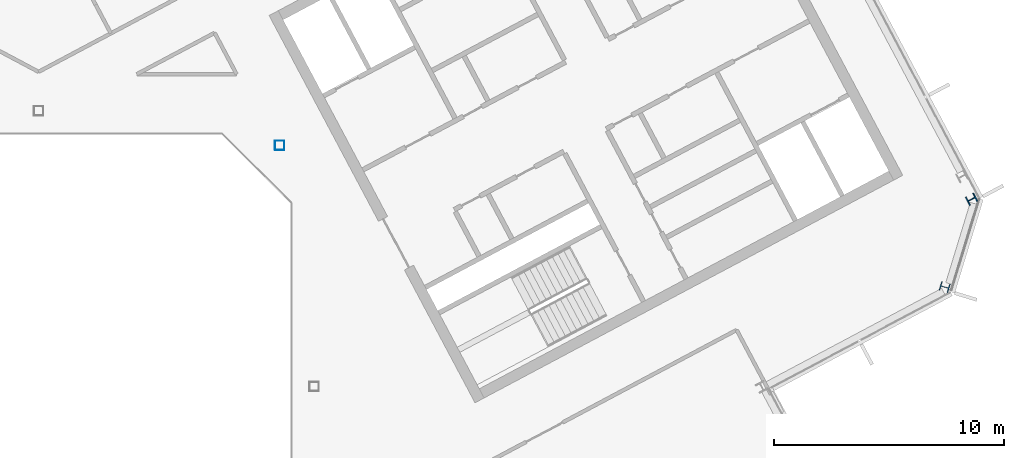
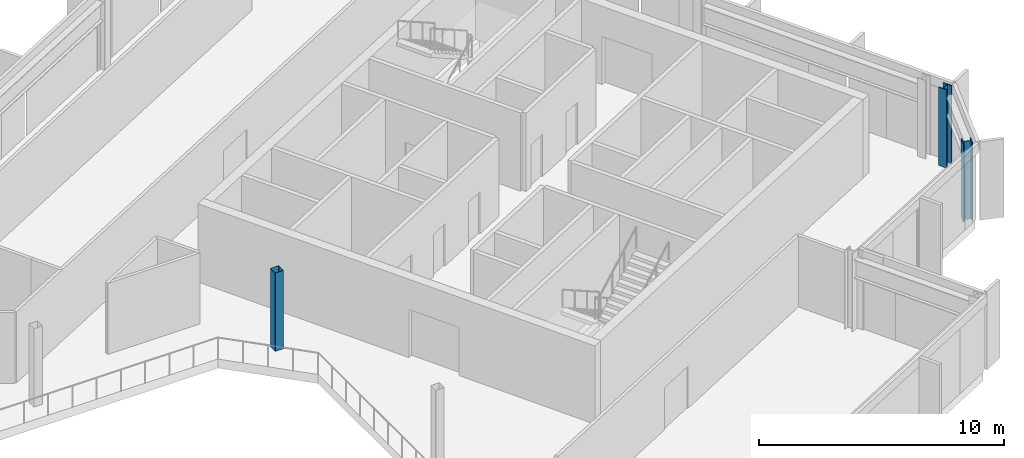
# One storey, part 6 of 26: 3 columns.
"""IFC4 building model written with IfcOpenShell, lengths in metres."""

import ifcopenshell
import ifcopenshell.guid

model = None  # the IFC model being written
_history = None  # IfcOwnerHistory: only IFC2X3 demands one
_inside = {}  # id of a spatial element -> (the spatial element, [elements in it])
_under = {}  # id of a project, library or spatial element -> (it, [spatial elements below it])
_declared = {}  # id of a project -> (the project, [libraries it declares])
_typed = {}  # id of a type object -> (the type object, [elements of that type])
_made_of = {}  # id of a material, layer set ... -> (it, [elements and type objects made of it])


def new_model(schema):
    """Start an empty IFC model of exactly this schema.

    Asked for "IFC4X3", IfcOpenShell would pick the latest addendum, in which some entities
    have other attributes; the version numbers below select the first issue.
    IFC2X3 requires an IfcOwnerHistory on every rooted entity: one is made here for all.
    """
    global model, _history
    if schema == "IFC4X3":
        model = ifcopenshell.file(schema_version=(4, 3, 0, 0))
    else:
        model = ifcopenshell.file(schema=schema)
    _inside.clear()
    _under.clear()
    _declared.clear()
    _typed.clear()
    _made_of.clear()
    _history = None
    if model.schema == "IFC2X3":
        org = make("IfcOrganization", Name="unknown")
        user = make(
            "IfcPersonAndOrganization",
            ThePerson=make("IfcPerson", FamilyName="unknown"),
            TheOrganization=org,
        )
        app = make(
            "IfcApplication",
            ApplicationDeveloper=org,
            Version="unknown",
            ApplicationFullName="unknown",
            ApplicationIdentifier="unknown",
        )
        _history = make(
            "IfcOwnerHistory",
            OwningUser=user,
            OwningApplication=app,
            ChangeAction="ADDED",
            CreationDate=0,
        )
    return model


def make(cls, **values):
    """One entity of the class cls with the attributes given. An attribute that is None is left unset."""
    return model.create_entity(
        cls, **{name: value for name, value in values.items() if value is not None}
    )


def rooted(cls, **values):
    """An entity with a GlobalId (a new one), such as an element, a storey or a relation."""
    return make(cls, GlobalId=ifcopenshell.guid.new(), OwnerHistory=_history, **values)


def si_unit(unit_type, name, prefix=None):
    """IfcSIUnit, for example si_unit("LENGTHUNIT", "METRE", prefix="MILLI")."""
    return make("IfcSIUnit", UnitType=unit_type, Prefix=prefix, Name=name)


def assignment(units):
    """IfcUnitAssignment: the units of a project."""
    return None if units is None else make("IfcUnitAssignment", Units=units)


def point(xyz):
    """IfcCartesianPoint."""
    return None if xyz is None else make("IfcCartesianPoint", Coordinates=xyz)


def direction(xyz):
    """IfcDirection."""
    return None if xyz is None else make("IfcDirection", DirectionRatios=xyz)


def frame(location, z_axis=None, x_axis=None):
    """IfcAxis2Placement3D, a coordinate frame: its origin and axes. An axis left out is left unset."""
    return make(
        "IfcAxis2Placement3D",
        Location=point(location),
        Axis=direction(z_axis),
        RefDirection=direction(x_axis),
    )


def frame_2d(location, x_axis=None):
    """IfcAxis2Placement2D, a coordinate frame in the plane: its origin and x axis."""
    return make(
        "IfcAxis2Placement2D", Location=point(location), RefDirection=direction(x_axis)
    )


def origin():
    """The frame at (0, 0, 0) with its axes left unset."""
    return frame((0.0, 0.0, 0.0))


def origin_2d():
    """The frame at (0, 0) in the plane with its x axis left unset."""
    return frame_2d((0.0, 0.0))


def place(relative_to, where):
    """IfcLocalPlacement: puts the frame where relative to a parent placement (None: the world)."""
    return make(
        "IfcLocalPlacement", PlacementRelTo=relative_to, RelativePlacement=where
    )


def context(
    kind, dimensions, precision=None, world=None, true_north=None, identifier=None
):
    """IfcGeometricRepresentationContext, for example the 3D "Model" context."""
    return make(
        "IfcGeometricRepresentationContext",
        ContextIdentifier=identifier,
        ContextType=kind,
        CoordinateSpaceDimension=dimensions,
        Precision=precision,
        WorldCoordinateSystem=world,
        TrueNorth=true_north,
    )


def subcontext(parent, identifier, kind, view, scale=None):
    """IfcGeometricRepresentationSubContext, for example "Body" below "Model"."""
    return make(
        "IfcGeometricRepresentationSubContext",
        ContextIdentifier=identifier,
        ContextType=kind,
        ParentContext=parent,
        TargetScale=scale,
        TargetView=view,
    )


def project(units=None, contexts=None):
    """IfcProject with its units and contexts."""
    return rooted(
        "IfcProject",
        Name="project",
        RepresentationContexts=contexts,
        UnitsInContext=assignment(units),
    )


def spatial(cls, under=None, at=None, **own):
    """A site, building, storey or space (cls), placed at a placement, below another one or the project."""
    s = rooted(cls, ObjectPlacement=at, **own)
    if under is not None:
        _under.setdefault(under.id(), (under, []))[1].append(s)
    return s


def profile(cls, at=None, kind="AREA", **sizes):
    """A parametric profile (cls). Its sizes go by their IFC names, for example OverallWidth=200.0."""
    return make(cls, ProfileType=kind, Position=at, **sizes)


def hollow_rectangle(**sizes):
    """IfcRectangleHollowProfileDef."""
    return profile("IfcRectangleHollowProfileDef", **sizes)


def i_section(**sizes):
    """IfcIShapeProfileDef."""
    return profile("IfcIShapeProfileDef", **sizes)


def extrude(swept, where, along, depth):
    """IfcExtrudedAreaSolid: the profile swept, set in the frame where, extruded along a direction by depth."""
    return make(
        "IfcExtrudedAreaSolid",
        SweptArea=swept,
        Position=where,
        ExtrudedDirection=direction(along),
        Depth=depth,
    )


def shape(context_of_items, identifier, shape_type, items):
    """IfcShapeRepresentation: the items that make up one representation, for example the "Body"."""
    return make(
        "IfcShapeRepresentation",
        ContextOfItems=context_of_items,
        RepresentationIdentifier=identifier,
        RepresentationType=shape_type,
        Items=items,
    )


def material(Name=None, Category=None):
    """IfcMaterial."""
    return make("IfcMaterial", Name=Name, Category=Category)


def material_profile(
    of_material, cross_section, Name=None, Category=None, Priority=None
):
    """IfcMaterialProfile: a cross section and its material."""
    return make(
        "IfcMaterialProfile",
        Name=Name,
        Material=of_material,
        Profile=cross_section,
        Priority=Priority,
        Category=Category,
    )


def profile_set(profiles, Name=None, composite=None):
    """IfcMaterialProfileSet."""
    return make(
        "IfcMaterialProfileSet",
        Name=Name,
        MaterialProfiles=profiles,
        CompositeProfile=composite,
    )


def made_of(thing, what):
    """Note that an element or type object is made of a material, layer set ...; save() writes the relation."""
    if what is not None:
        _made_of.setdefault(what.id(), (what, []))[1].append(thing)
    return thing


def type_object(cls, material=None, **own):
    """A type object (cls), such as IfcWallType, which elements share."""
    return made_of(rooted(cls, **own), material)


def element(
    cls,
    number,
    at=None,
    inside=None,
    cuts=None,
    type_object=None,
    material=None,
    context=None,
    identifier="Body",
    shape_type=None,
    held_by="IfcProductDefinitionShape",
    body=None,
    shapes=None,
    **own,
):
    """One element of the class cls, such as IfcWall. Its Tag is "e" and its number.

    at: its placement. inside: the storey or other place that contains it. cuts: it is an
    opening in that element (IfcRelVoidsElement). A single representation is given by context,
    identifier, shape_type and body (its items); several are given by shapes. held_by: the class
    of the entity that holds the representations. save() writes the other relations.
    """
    e = rooted(cls, Tag="e%d" % number, ObjectPlacement=at, **own)
    if body is not None:
        shapes = [shape(context, identifier, shape_type, body)]
    if shapes is not None:
        e.Representation = make(held_by, Representations=shapes)
    if inside is not None:
        _inside.setdefault(inside.id(), (inside, []))[1].append(e)
    if cuts is not None:
        rooted(
            "IfcRelVoidsElement", RelatingBuildingElement=cuts, RelatedOpeningElement=e
        )
    if type_object is not None:
        _typed.setdefault(type_object.id(), (type_object, []))[1].append(e)
    return made_of(e, material)


def aggregate(whole, parts):
    """IfcRelAggregates: a whole, such as a stair, and the parts it consists of."""
    return rooted("IfcRelAggregates", RelatingObject=whole, RelatedObjects=parts)


def save(model, path):
    """Write the relations noted so far, then the file.

    IfcRelAggregates (storeys below a building ...), IfcRelContainedInSpatialStructure (elements
    in a storey), IfcRelDefinesByType, IfcRelAssociatesMaterial and IfcRelDeclares: one each for
    every whole, place, type object, material and project.
    """
    for whole, parts in _under.values():
        aggregate(whole, parts)
    for where, things in _inside.values():
        rooted(
            "IfcRelContainedInSpatialStructure",
            RelatedElements=things,
            RelatingStructure=where,
        )
    for kind, things in _typed.values():
        rooted("IfcRelDefinesByType", RelatedObjects=things, RelatingType=kind)
    for what, things in _made_of.values():
        rooted("IfcRelAssociatesMaterial", RelatedObjects=things, RelatingMaterial=what)
    for by, libraries in _declared.values():
        rooted("IfcRelDeclares", RelatingContext=by, RelatedDefinitions=libraries)
    model.write(path)


model = new_model("IFC4")

# Units and contexts
model_context = context("Model", 3, precision=1e-05, world=origin(), true_north=direction((0.0, 1.0)))
body_context = subcontext(model_context, "Body", "Model", "MODEL_VIEW")
ifc_project = project(units=[si_unit("LENGTHUNIT", "METRE"), si_unit("AREAUNIT", "SQUARE_METRE"), si_unit("VOLUMEUNIT", "CUBIC_METRE"), si_unit("PLANEANGLEUNIT", "RADIAN"), si_unit("MASSUNIT", "GRAM", prefix="KILO")], contexts=[model_context])

# Site, building, storey
site_placement = place(None, origin())
site = spatial("IfcSite", under=ifc_project, at=site_placement, CompositionType="ELEMENT")
building_placement = place(site_placement, origin())
building = spatial("IfcBuilding", under=site, at=building_placement, Name="Cormorant Relay Tower", CompositionType="ELEMENT")
storey_placement = place(building_placement, frame((0.0, 0.0, 320.39990234375)))
storey = spatial("IfcBuildingStorey", under=building, at=storey_placement, Name="L73", CompositionType="ELEMENT", Elevation=320.39990234375)

# Columns
ifc_material_1 = material(Name="Steel ASTM A500 Grade C (Fy 345 MPa)", Category="steel")
ifc_material_profile_1 = material_profile(ifc_material_1, hollow_rectangle(XDim=0.406494140625, YDim=0.406494140625, WallThickness=0.0087890625, InnerFilletRadius=0.00439453125, OuterFilletRadius=0.01318359375, at=origin_2d()), Name="HSS406x406x9")
ifc_profile_set_1 = profile_set([ifc_material_profile_1], Name="Steel ASTM A500 Grade C (Fy 345 MPa)")
column_type_1 = type_object("IfcColumnType", Name="Column HSS406x406x9", PredefinedType="COLUMN", material=ifc_profile_set_1)
column_placement = place(storey_placement, frame((10.5, 10.5, 0.0), z_axis=(0.0, 0.0, 1.0), x_axis=(1.0, 0.0, 0.0)))
element("IfcColumn", 1, at=column_placement, inside=storey, type_object=column_type_1, Name="Column L73-024", PredefinedType="COLUMN", context=body_context, shape_type="SweptSolid", body=[
    extrude(hollow_rectangle(XDim=0.406494140625, YDim=0.406494140625, WallThickness=0.0087890625, InnerFilletRadius=0.00439453125, OuterFilletRadius=0.01318359375, at=origin_2d()), origin(), (0.0, 0.0, 1.0), 3.900146484375),
])
ifc_material_2 = material(Name="Steel ASTM A992 (Fy 345 MPa)", Category="steel")
ifc_material_profile_2 = material_profile(ifc_material_2, i_section(OverallWidth=0.40380859375, OverallDepth=0.406494140625, WebThickness=0.027099609375, FlangeThickness=0.043701171875, FilletRadius=0.01513671875, at=origin_2d()), Name="W360x347")
ifc_profile_set_2 = profile_set([ifc_material_profile_2], Name="Steel ASTM A992 (Fy 345 MPa)")
column_type_2 = type_object("IfcColumnType", Name="Column W360x347", PredefinedType="COLUMN", material=ifc_profile_set_2)
for number, where, z_axis, x_axis, name in (
    (2, (39.464111328125, 4.330078125, 0.0), (0.0, 0.0, 1.0), (0.292371704723, 0.956304755963, 0.0), "Column L73-019"),
    (3, (40.633056640625, 8.153076171875, 0.0), (0.0, 0.0, 1.0), (-0.469471562786, 0.882947592859, 0.0), "Column L73-020"),
):
    element("IfcColumn", number, at=place(storey_placement, frame(where, z_axis=z_axis, x_axis=x_axis)), inside=storey, type_object=column_type_2, Name=name, PredefinedType="COLUMN", context=body_context, shape_type="SweptSolid", body=[
        extrude(i_section(OverallWidth=0.40380859375, OverallDepth=0.406494140625, WebThickness=0.027099609375, FlangeThickness=0.043701171875, FilletRadius=0.01513671875, at=origin_2d()), origin(), (0.0, 0.0, 1.0), 3.900146484375),
    ])

save(model, "model.ifc")
